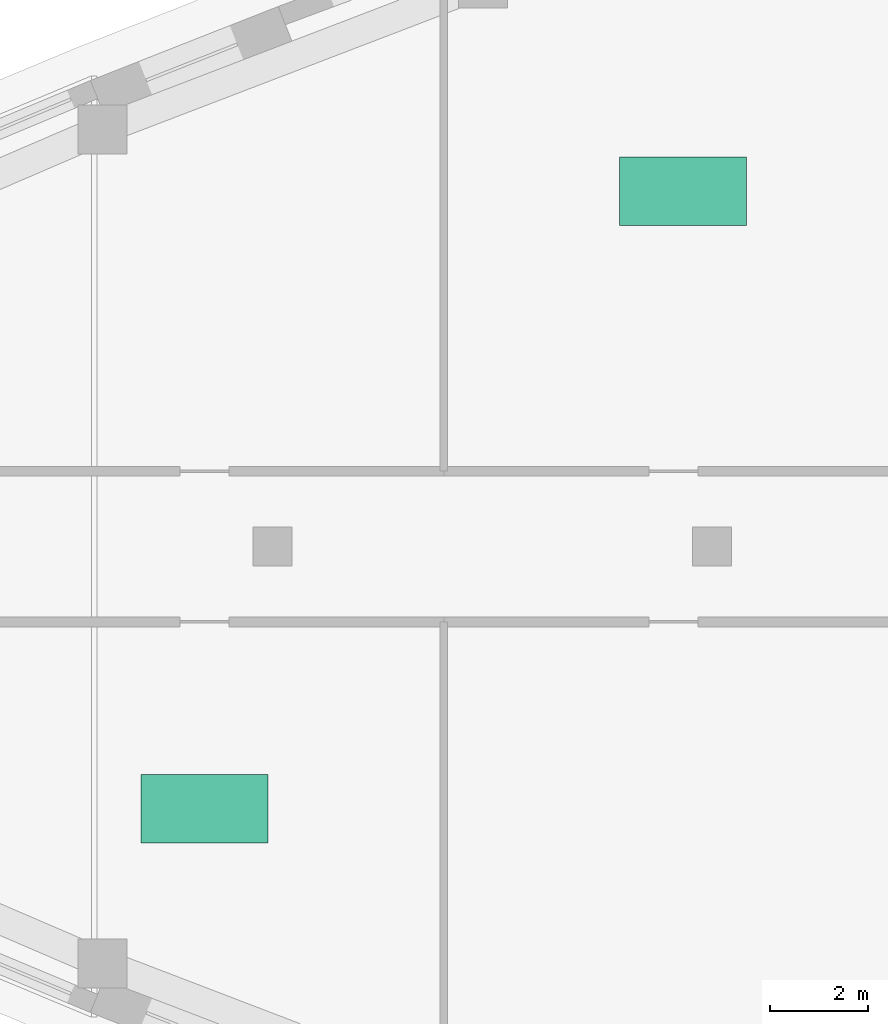
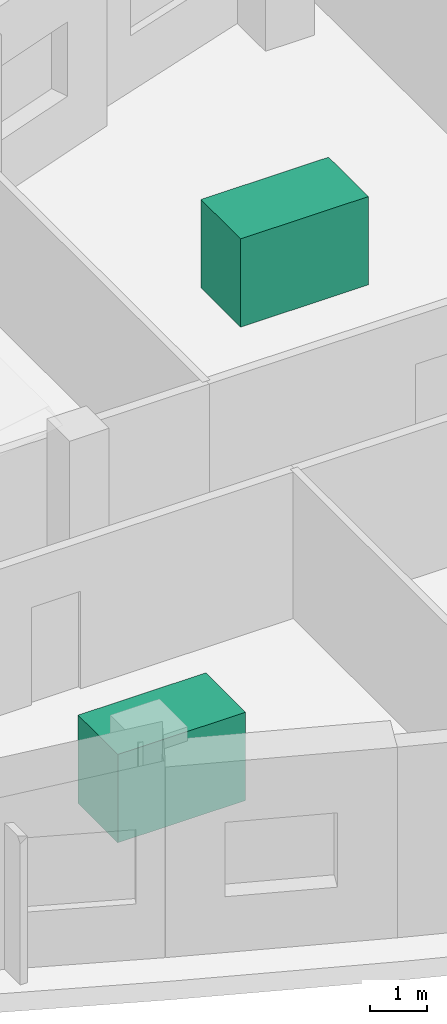
# One storey, part 7 of 7: 2 fans.
"""IFC4 building model written with IfcOpenShell, lengths in metres."""

from ifc_helpers import new_model, si_unit, direction, frame, origin, origin_2d, place, context, subcontext, project, spatial, rectangle, extrude, material, type_object, element, save


model = new_model("IFC4")

# Units and contexts
model_context = context("Model", 3, precision=1e-05, world=origin(), true_north=direction((0.0, 1.0)))
body_context = subcontext(model_context, "Body", "Model", "MODEL_VIEW")
ifc_project = project(units=[si_unit("LENGTHUNIT", "METRE"), si_unit("AREAUNIT", "SQUARE_METRE"), si_unit("VOLUMEUNIT", "CUBIC_METRE"), si_unit("PLANEANGLEUNIT", "RADIAN"), si_unit("MASSUNIT", "GRAM", prefix="KILO")], contexts=[model_context])

# Site, building, storey
site_placement = place(None, origin())
site = spatial("IfcSite", under=ifc_project, at=site_placement, CompositionType="ELEMENT")
building_placement = place(site_placement, origin())
building = spatial("IfcBuilding", under=site, at=building_placement, Name="Ostrand Prow Hotel Tower", CompositionType="ELEMENT")
storey_placement = place(building_placement, frame((0.0, 0.0, 323.0)))
storey = spatial("IfcBuildingStorey", under=building, at=storey_placement, Name="C4", CompositionType="ELEMENT", Elevation=323.0)

# Fans
ifc_material = material(Name="Painted steel", Category="steel")
fan_type = type_object("IfcFanType", Name="Air handling fan unit 2600x1400", PredefinedType="CENTRIFUGALAIRFOIL", material=ifc_material)
for number, where, z_axis, x_axis, name in (
    (1, (23.606689453125, -5.367431640625, 0.0), (0.0, 0.0, 1.0), (1.0, 0.0, 0.0), "Air Air Handling Plant Room"),
    (2, (33.404052734375, 7.273193359375, 0.0), (0.0, 0.0, 1.0), (1.0, 0.0, 0.0), "Air Air Handling Plant Room"),
):
    element("IfcFan", number, at=place(storey_placement, frame(where, z_axis=z_axis, x_axis=x_axis)), inside=storey, type_object=fan_type, Name=name, PredefinedType="CENTRIFUGALAIRFOIL", context=body_context, shape_type="SweptSolid", body=[
        extrude(rectangle(XDim=2.60009765625, YDim=1.39990234375, at=origin_2d()), origin(), (0.0, 0.0, 1.0), 1.89990234375),
    ])

save(model, "model.ifc")
